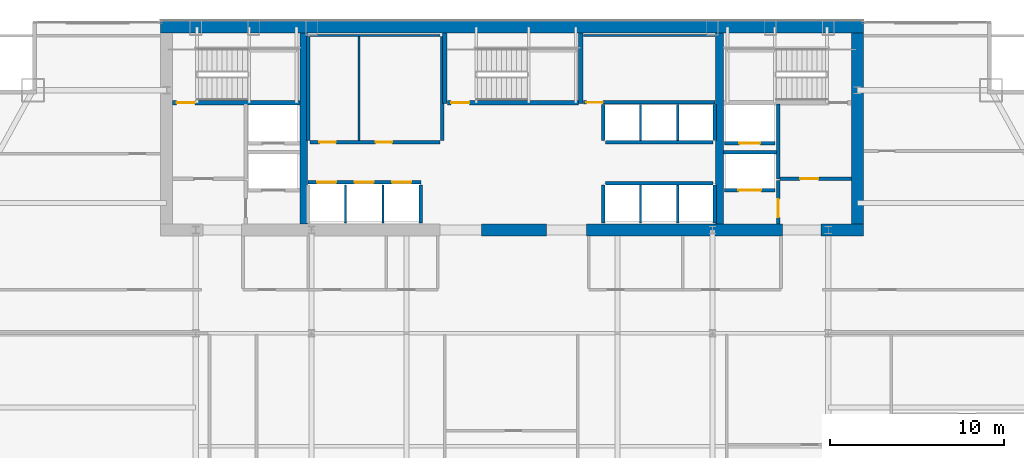
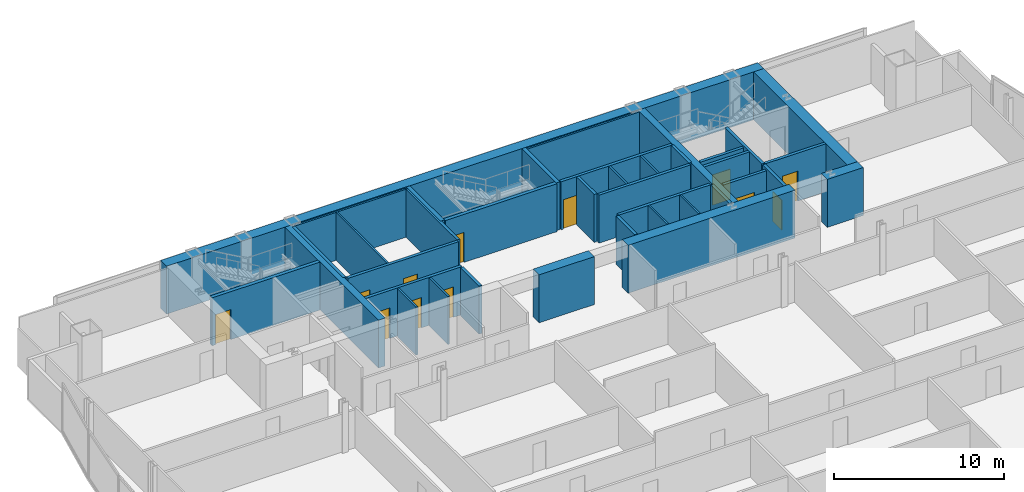
# One storey, part 26 of 29: 38 walls, 12 doors, 12 openings.
"""IFC4 building model written with IfcOpenShell, lengths in metres."""

from ifc_helpers import new_model, si_unit, direction, frame, frame_2d, origin, place, context, subcontext, project, spatial, rectangle, extrude, material, layer, layer_set, type_object, element, fill, save


model = new_model("IFC4")

# Units and contexts
model_context = context("Model", 3, precision=1e-05, world=origin(), true_north=direction((0.0, 1.0)))
body_context = subcontext(model_context, "Body", "Model", "MODEL_VIEW")
ifc_project = project(units=[si_unit("LENGTHUNIT", "METRE"), si_unit("AREAUNIT", "SQUARE_METRE"), si_unit("VOLUMEUNIT", "CUBIC_METRE"), si_unit("PLANEANGLEUNIT", "RADIAN"), si_unit("MASSUNIT", "GRAM", prefix="KILO")], contexts=[model_context])

# Site, building, storey
site_placement = place(None, origin())
site = spatial("IfcSite", under=ifc_project, at=site_placement, CompositionType="ELEMENT")
building_placement = place(site_placement, origin())
building = spatial("IfcBuilding", under=site, at=building_placement, Name="Khoronbel Lancet Exchange", CompositionType="ELEMENT")
storey_placement = place(building_placement, frame((0.0, 0.0, 161.39990234375)))
storey = spatial("IfcBuildingStorey", under=building, at=storey_placement, Name="L40", CompositionType="ELEMENT", Elevation=161.39990234375)

# Walls
ifc_material_1 = material(Name="Concrete C80/95", Category="concrete")
ifc_layer_1 = layer(ifc_material_1, 0.699951171875, Name="Concrete C80/95")
ifc_layer_set_1 = layer_set([ifc_layer_1], Name="Concrete C80/95")
wall_type_1 = type_object("IfcWallType", Name="WL-CW2", PredefinedType="SHEAR", material=ifc_layer_set_1)
wall_1_placement = place(storey_placement, frame((16.199951171875, 53.35009765625, 0.0), z_axis=(0.0, 0.0, 1.0), x_axis=(1.0, 0.0, 0.0)))
element("IfcWall", 1, at=wall_1_placement, inside=storey, type_object=wall_type_1, Name="Level L40 rear core north shear wall", PredefinedType="SHEAR", context=body_context, shape_type="SweptSolid", body=[
    extrude(rectangle(XDim=40.5, YDim=0.699951171875, at=frame_2d((20.25, 0.0))), origin(), (0.0, 0.0, 1.0), 3.440185546875),
])
wall_2_placement = place(storey_placement, frame((56.35009765625, 53.0, 0.0), z_axis=(0.0, 0.0, 1.0), x_axis=(0.0, -1.0, 0.0)))
element("IfcWall", 2, at=wall_2_placement, inside=storey, type_object=wall_type_1, Name="Level L40 rear core east shear wall", PredefinedType="SHEAR", context=body_context, shape_type="SweptSolid", body=[
    extrude(rectangle(XDim=11.0, YDim=0.699951171875, at=frame_2d((5.5, 0.0))), origin(), (0.0, 0.0, 1.0), 3.440185546875),
])
wall_3_placement = place(storey_placement, frame((38.449951171875, 41.64990234375, 0.0), z_axis=(0.0, 0.0, 1.0), x_axis=(-1.0, 0.0, 0.0)))
element("IfcWall", 3, at=wall_3_placement, inside=storey, type_object=wall_type_1, Name="Level L40 rear core south shear wall pier P3", PredefinedType="SHEAR", context=body_context, shape_type="SweptSolid", body=[
    extrude(rectangle(XDim=3.75, YDim=0.699951171875, at=frame_2d((1.875, 0.0))), origin(), (0.0, 0.0, 1.0), 3.440185546875),
])
wall_4_placement = place(storey_placement, frame((52.050048828125, 41.64990234375, 0.0), z_axis=(0.0, 0.0, 1.0), x_axis=(-1.0, 0.0, 0.0)))
element("IfcWall", 4, at=wall_4_placement, inside=storey, type_object=wall_type_1, Name="Level L40 rear core south shear wall pier P4", PredefinedType="SHEAR", context=body_context, shape_type="SweptSolid", body=[
    extrude(rectangle(XDim=11.300048828125, YDim=0.699951171875, at=frame_2d((5.64990234375, 0.0))), origin(), (0.0, 0.0, 1.0), 3.440185546875),
])
wall_5_placement = place(storey_placement, frame((56.699951171875, 41.64990234375, 0.0), z_axis=(0.0, 0.0, 1.0), x_axis=(-1.0, 0.0, 0.0)))
element("IfcWall", 5, at=wall_5_placement, inside=storey, type_object=wall_type_1, Name="Level L40 rear core south shear wall pier P5", PredefinedType="SHEAR", context=body_context, shape_type="SweptSolid", body=[
    extrude(rectangle(XDim=2.449951171875, YDim=0.699951171875, at=frame_2d((1.22509765625, 0.0))), origin(), (0.0, 0.0, 1.0), 3.440185546875),
])
ifc_material_2 = material(Name="Fire-Rated Metal-Stud & Mineral-Wool Gypsum Partition 120 mm", Category="gypsum")
ifc_layer_2 = layer(ifc_material_2, 0.1201171875, Name="Fire-Rated Metal-Stud & Mineral-Wool Gypsum Partition 120 mm")
ifc_layer_set_2 = layer_set([ifc_layer_2], Name="Fire-Rated Metal-Stud & Mineral-Wool Gypsum Partition 120 mm")
wall_type_2 = type_object("IfcWallType", Name="WL-PRT120F", PredefinedType="PARTITIONING", material=ifc_layer_set_2)
wall_6_placement = place(storey_placement, frame((24.804931640625, 52.860107421875, 0.0), z_axis=(0.0, 0.0, 1.0), x_axis=(1.0, 0.0, 0.0)))
element("IfcWall", 6, at=wall_6_placement, inside=storey, type_object=wall_type_2, Name="Level L40 interior partition CW-PL-RN", PredefinedType="PARTITIONING", context=body_context, shape_type="SweptSolid", body=[
    extrude(rectangle(XDim=7.510009765625, YDim=0.1201171875, at=frame_2d((3.7548828125, 0.0))), origin(), (0.0, 0.0, 1.0), 3.440185546875),
])
wall_7_placement = place(storey_placement, frame((27.633544921875, 46.804931640625, 0.0), z_axis=(0.0, 0.0, 1.0), x_axis=(0.0, 1.0, 0.0)))
element("IfcWall", 7, at=wall_7_placement, inside=storey, type_object=wall_type_2, Name="Level L40 interior partition CW-PL-RS1", PredefinedType="PARTITIONING", context=body_context, shape_type="SweptSolid", body=[
    extrude(rectangle(XDim=5.989990234375, YDim=0.1201171875, at=frame_2d((2.9951171875, 0.0))), origin(), (0.0, 0.0, 1.0), 3.440185546875),
])
for number, where, z_axis, x_axis, name in (
    (8, (26.860107421875, 42.050048828125, 0.0), (0.0, 0.0, 1.0), (0.0, 1.0, 0.0), "Level L40 interior partition CW-PM-D1"),
    (9, (29.02001953125, 42.050048828125, 0.0), (0.0, 0.0, 1.0), (0.0, 1.0, 0.0), "Level L40 interior partition CW-PM-D2"),
):
    element("IfcWall", number, at=place(storey_placement, frame(where, z_axis=z_axis, x_axis=x_axis)), inside=storey, type_object=wall_type_2, Name=name, PredefinedType="PARTITIONING", context=body_context, shape_type="SweptSolid", body=[
        extrude(rectangle(XDim=2.199951171875, YDim=0.1201171875, at=frame_2d((1.10009765625, 0.0))), origin(), (0.0, 0.0, 1.0), 3.440185546875),
    ])
for number, where, z_axis, x_axis, name in (
    (10, (43.860107421875, 46.804931640625, 0.0), (0.0, 0.0, 1.0), (0.0, 1.0, 0.0), "Level L40 interior partition CW-PH-D1"),
    (11, (46.0, 46.804931640625, 0.0), (0.0, 0.0, 1.0), (0.0, 1.0, 0.0), "Level L40 interior partition CW-PH-D2"),
):
    element("IfcWall", number, at=place(storey_placement, frame(where, z_axis=z_axis, x_axis=x_axis)), inside=storey, type_object=wall_type_2, Name=name, PredefinedType="PARTITIONING", context=body_context, shape_type="SweptSolid", body=[
        extrude(rectangle(XDim=2.090087890625, YDim=0.1201171875, at=frame_2d((1.044921875, 0.0))), origin(), (0.0, 0.0, 1.0), 3.440185546875),
    ])
for number, where, z_axis, x_axis, name in (
    (12, (43.860107421875, 42.050048828125, 0.0), (0.0, 0.0, 1.0), (0.0, 1.0, 0.0), "Level L40 interior partition CW-PX-D1"),
    (13, (46.0, 42.050048828125, 0.0), (0.0, 0.0, 1.0), (0.0, 1.0, 0.0), "Level L40 interior partition CW-PX-D2"),
):
    element("IfcWall", number, at=place(storey_placement, frame(where, z_axis=z_axis, x_axis=x_axis)), inside=storey, type_object=wall_type_2, Name=name, PredefinedType="PARTITIONING", context=body_context, shape_type="SweptSolid", body=[
        extrude(rectangle(XDim=2.195068359375, YDim=0.1201171875, at=frame_2d((1.09765625, 0.0))), origin(), (0.0, 0.0, 1.0), 3.440185546875),
    ])
wall_8_placement = place(storey_placement, frame((40.580078125, 52.860107421875, 0.0), z_axis=(0.0, 0.0, 1.0), x_axis=(1.0, 0.0, 0.0)))
element("IfcWall", 14, at=wall_8_placement, inside=storey, type_object=wall_type_2, Name="Level L40 interior partition CW-SUP-NE-N", PredefinedType="PARTITIONING", context=body_context, shape_type="SweptSolid", body=[
    extrude(rectangle(XDim=7.559814453125, YDim=0.1201171875, at=frame_2d((3.77978515625, 0.0))), origin(), (0.0, 0.0, 1.0), 3.440185546875),
])

# Wall, openings, doors
ifc_material_3 = material(Name="Autoclaved Aerated Concrete Blockwork 200 mm", Category="masonry")
ifc_layer_3 = layer(ifc_material_3, 0.199951171875, Name="Autoclaved Aerated Concrete Blockwork 200 mm")
ifc_layer_set_3 = layer_set([ifc_layer_3], Name="Autoclaved Aerated Concrete Blockwork 200 mm")
wall_type_3 = type_object("IfcWallType", Name="WL-PRT200", PredefinedType="PARTITIONING", material=ifc_layer_set_3)
wall_9_placement = place(storey_placement, frame((24.68994140625, 44.39990234375, 0.0), z_axis=(0.0, 0.0, 1.0), x_axis=(1.0, 0.0, 0.0)))
wall_9 = element("IfcWall", 15, at=wall_9_placement, inside=storey, type_object=wall_type_3, Name="Level L40 elevator hoistway landing front wall PMW", PredefinedType="PARTITIONING", context=body_context, shape_type="SweptSolid", body=[
    extrude(rectangle(XDim=6.530029296875, YDim=0.199951171875, at=frame_2d((3.26513671875, 0.0))), origin(), (0.0, 0.0, 1.0), 3.440185546875),
])
opening_1_placement = place(wall_9_placement, frame((0.530029296875, 0.0, 0.0)))
opening_1 = element("IfcOpeningElement", 16, at=opening_1_placement, cuts=wall_9, Name="Opening LD-PM1", PredefinedType="OPENING", context=body_context, shape_type="SweptSolid", body=[
    extrude(rectangle(XDim=1.10009765625, YDim=2.179931640625, at=frame_2d((0.550048828125, 1.08984375))), frame((0.0, 0.10986328125, 0.0), z_axis=(0.0, -1.0, 0.0), x_axis=(1.0, 0.0, 0.0)), (0.0, 0.0, 1.0), 0.219970703125),
])
opening_2_placement = place(wall_9_placement, frame((2.68994140625, 0.0, 0.0)))
opening_2 = element("IfcOpeningElement", 17, at=opening_2_placement, cuts=wall_9, Name="Opening LD-PM2", PredefinedType="OPENING", context=body_context, shape_type="SweptSolid", body=[
    extrude(rectangle(XDim=1.10009765625, YDim=2.179931640625, at=frame_2d((0.550048828125, 1.08984375))), frame((0.0, 0.10986328125, 0.0), z_axis=(0.0, -1.0, 0.0), x_axis=(1.0, 0.0, 0.0)), (0.0, 0.0, 1.0), 0.219970703125),
])
opening_3_placement = place(wall_9_placement, frame((4.85009765625, 0.0, 0.0)))
opening_3 = element("IfcOpeningElement", 18, at=opening_3_placement, cuts=wall_9, Name="Opening LD-PM3", PredefinedType="OPENING", context=body_context, shape_type="SweptSolid", body=[
    extrude(rectangle(XDim=1.10009765625, YDim=2.179931640625, at=frame_2d((0.550048828125, 1.08984375))), frame((0.0, 0.10986328125, 0.0), z_axis=(0.0, -1.0, 0.0), x_axis=(1.0, 0.0, 0.0)), (0.0, 0.0, 1.0), 0.219970703125),
])
ifc_material_4 = material(Name="Brushed Bronze Bi-Parting Elevator Landing Door", Category="steel")
door_type_1 = type_object("IfcDoorType", Name="DR-LD-PAX", OperationType="NOTDEFINED", PredefinedType="DOOR", material=ifc_material_4)
door_1_placement = place(opening_1_placement, origin())
door_1 = element("IfcDoor", 19, at=door_1_placement, inside=storey, type_object=door_type_1, Name="Elevator landing sliding door LD-PM1 L40", OperationType="SLIDING_TO_LEFT", OverallHeight=2.179931640625, OverallWidth=1.10009765625, PredefinedType="DOOR", context=body_context, shape_type="SweptSolid", body=[
    extrude(rectangle(XDim=1.10009765625, YDim=2.179931640625, at=frame_2d((0.550048828125, 1.08984375))), frame((0.0, 0.02490234375, 0.0), z_axis=(0.0, -1.0, 0.0), x_axis=(1.0, 0.0, 0.0)), (0.0, 0.0, 1.0), 0.050048828125),
])
fill(opening_1, door_1)
door_2_placement = place(opening_2_placement, origin())
door_2 = element("IfcDoor", 20, at=door_2_placement, inside=storey, type_object=door_type_1, Name="Elevator landing sliding door LD-PM2 L40", OperationType="SLIDING_TO_LEFT", OverallHeight=2.179931640625, OverallWidth=1.10009765625, PredefinedType="DOOR", context=body_context, shape_type="SweptSolid", body=[
    extrude(rectangle(XDim=1.10009765625, YDim=2.179931640625, at=frame_2d((0.550048828125, 1.08984375))), frame((0.0, 0.02490234375, 0.0), z_axis=(0.0, -1.0, 0.0), x_axis=(1.0, 0.0, 0.0)), (0.0, 0.0, 1.0), 0.050048828125),
])
fill(opening_2, door_2)
door_3_placement = place(opening_3_placement, origin())
door_3 = element("IfcDoor", 21, at=door_3_placement, inside=storey, type_object=door_type_1, Name="Elevator landing sliding door LD-PM3 L40", OperationType="SLIDING_TO_LEFT", OverallHeight=2.179931640625, OverallWidth=1.10009765625, PredefinedType="DOOR", context=body_context, shape_type="SweptSolid", body=[
    extrude(rectangle(XDim=1.10009765625, YDim=2.179931640625, at=frame_2d((0.550048828125, 1.08984375))), frame((0.0, 0.02490234375, 0.0), z_axis=(0.0, -1.0, 0.0), x_axis=(1.0, 0.0, 0.0)), (0.0, 0.0, 1.0), 0.050048828125),
])
fill(opening_3, door_3)

# Wall, opening, door
wall_10_placement = place(storey_placement, frame((51.610107421875, 43.949951171875, 0.0), z_axis=(0.0, 0.0, 1.0), x_axis=(-1.0, 0.0, 0.0)))
wall_10 = element("IfcWall", 22, at=wall_10_placement, inside=storey, type_object=wall_type_3, Name="Level L40 elevator hoistway landing front wall SVLE", PredefinedType="PARTITIONING", context=body_context, shape_type="SweptSolid", body=[
    extrude(rectangle(XDim=2.920166015625, YDim=0.199951171875, at=frame_2d((1.4599609375, 0.0))), origin(), (0.0, 0.0, 1.0), 3.440185546875),
])
opening_4_placement = place(wall_10_placement, frame((0.81005859375, 0.0, 0.0)))
opening_4 = element("IfcOpeningElement", 23, at=opening_4_placement, cuts=wall_10, Name="Opening LD-SVL2", PredefinedType="OPENING", context=body_context, shape_type="SweptSolid", body=[
    extrude(rectangle(XDim=1.300048828125, YDim=2.179931640625, at=frame_2d((0.64990234375, 1.08984375))), frame((0.0, 0.10986328125, 0.0), z_axis=(0.0, -1.0, 0.0), x_axis=(1.0, 0.0, 0.0)), (0.0, 0.0, 1.0), 0.219970703125),
])
ifc_material_5 = material(Name="Heavy-Duty Bi-Parting Goods Lift Landing Door", Category="steel")
door_type_2 = type_object("IfcDoorType", Name="DR-LD-SVL", OperationType="NOTDEFINED", PredefinedType="DOOR", material=ifc_material_5)
door_4_placement = place(opening_4_placement, origin())
door_4 = element("IfcDoor", 24, at=door_4_placement, inside=storey, type_object=door_type_2, Name="Elevator landing sliding door LD-SVL2 L40", OperationType="SLIDING_TO_LEFT", OverallHeight=2.179931640625, OverallWidth=1.300048828125, PredefinedType="DOOR", context=body_context, shape_type="SweptSolid", body=[
    extrude(rectangle(XDim=1.300048828125, YDim=2.179931640625, at=frame_2d((0.64990234375, 1.08984375))), frame((0.0, 0.02490234375, 0.0), z_axis=(0.0, -1.0, 0.0), x_axis=(1.0, 0.0, 0.0)), (0.0, 0.0, 1.0), 0.050048828125),
])
fill(opening_4, door_4)

wall_11_placement = place(storey_placement, frame((51.610107421875, 46.64990234375, 0.0), z_axis=(0.0, 0.0, 1.0), x_axis=(-1.0, 0.0, 0.0)))
wall_11 = element("IfcWall", 25, at=wall_11_placement, inside=storey, type_object=wall_type_3, Name="Level L40 elevator hoistway landing front wall FFLE", PredefinedType="PARTITIONING", context=body_context, shape_type="SweptSolid", body=[
    extrude(rectangle(XDim=2.920166015625, YDim=0.199951171875, at=frame_2d((1.4599609375, 0.0))), origin(), (0.0, 0.0, 1.0), 3.440185546875),
])
opening_5_placement = place(wall_11_placement, frame((0.860107421875, 0.0, 0.0)))
opening_5 = element("IfcOpeningElement", 26, at=opening_5_placement, cuts=wall_11, Name="Opening LD-FFL2", PredefinedType="OPENING", context=body_context, shape_type="SweptSolid", body=[
    extrude(rectangle(XDim=1.199951171875, YDim=2.179931640625, at=frame_2d((0.60009765625, 1.08984375))), frame((0.0, 0.10986328125, 0.0), z_axis=(0.0, -1.0, 0.0), x_axis=(1.0, 0.0, 0.0)), (0.0, 0.0, 1.0), 0.219970703125),
])
ifc_material_6 = material(Name="Fire-Rated Stainless Bi-Parting Firefighting Lift Door", Category="steel")
door_type_3 = type_object("IfcDoorType", Name="DR-LD-FFL", OperationType="NOTDEFINED", PredefinedType="DOOR", material=ifc_material_6)
door_5_placement = place(opening_5_placement, origin())
door_5 = element("IfcDoor", 27, at=door_5_placement, inside=storey, type_object=door_type_3, Name="Elevator landing sliding door LD-FFL2 L40", OperationType="SLIDING_TO_LEFT", OverallHeight=2.179931640625, OverallWidth=1.199951171875, PredefinedType="DOOR", context=body_context, shape_type="SweptSolid", body=[
    extrude(rectangle(XDim=1.199951171875, YDim=2.179931640625, at=frame_2d((0.60009765625, 1.08984375))), frame((0.0, 0.02490234375, 0.0), z_axis=(0.0, -1.0, 0.0), x_axis=(1.0, 0.0, 0.0)), (0.0, 0.0, 1.0), 0.050048828125),
])
fill(opening_5, door_5)

# Wall
wall_12_placement = place(storey_placement, frame((51.800048828125, 44.60009765625, 0.0), z_axis=(0.0, 0.0, 1.0), x_axis=(0.0, 1.0, 0.0)))
element("IfcWall", 28, at=wall_12_placement, inside=storey, type_object=wall_type_3, Name="Level L40 interior partition CW-FFLE-W", PredefinedType="PARTITIONING", context=body_context, shape_type="SweptSolid", body=[
    extrude(rectangle(XDim=4.2998046875, YDim=0.199951171875, at=frame_2d((2.14990234375, 0.0))), origin(), (0.0, 0.0, 1.0), 3.440185546875),
])

# Wall, opening, door
wall_13_placement = place(storey_placement, frame((51.89990234375, 44.60009765625, 0.0), z_axis=(0.0, 0.0, 1.0), x_axis=(1.0, 0.0, 0.0)))
wall_13 = element("IfcWall", 29, at=wall_13_placement, inside=storey, type_object=wall_type_3, Name="Level L40 interior partition CW-FFLE-S", PredefinedType="PARTITIONING", context=body_context, shape_type="SweptSolid", body=[
    extrude(rectangle(XDim=4.10009765625, YDim=0.199951171875, at=frame_2d((2.050048828125, 0.0))), origin(), (0.0, 0.0, 1.0), 3.440185546875),
])
opening_6_placement = place(wall_13_placement, frame((1.14990234375, 0.0, 0.0)))
opening_6 = element("IfcOpeningElement", 30, at=opening_6_placement, cuts=wall_13, Name="Opening FD1", PredefinedType="OPENING", context=body_context, shape_type="SweptSolid", body=[
    extrude(rectangle(XDim=1.050048828125, YDim=2.14990234375, at=frame_2d((0.52490234375, 1.074951171875))), frame((0.0, 0.10986328125, 0.0), z_axis=(0.0, -1.0, 0.0), x_axis=(1.0, 0.0, 0.0)), (0.0, 0.0, 1.0), 0.219970703125),
])
ifc_material_7 = material(Name="Fire-Rated Painted Steel Door Assembly", Category="steel")
door_type_4 = type_object("IfcDoorType", Name="DR-FD1", OperationType="NOTDEFINED", PredefinedType="DOOR", material=ifc_material_7)
door_6_placement = place(opening_6_placement, origin())
door_6 = element("IfcDoor", 31, at=door_6_placement, inside=storey, type_object=door_type_4, Name="East firefighting lobby FD90S door L40-1", OperationType="SINGLE_SWING_LEFT", OverallHeight=2.14990234375, OverallWidth=1.050048828125, PredefinedType="DOOR", context=body_context, shape_type="SweptSolid", body=[
    extrude(rectangle(XDim=1.050048828125, YDim=2.14990234375, at=frame_2d((0.52490234375, 1.074951171875))), frame((0.0, 0.02490234375, 0.0), z_axis=(0.0, -1.0, 0.0), x_axis=(1.0, 0.0, 0.0)), (0.0, 0.0, 1.0), 0.050048828125),
])
fill(opening_6, door_6)

# Wall
wall_14_placement = place(storey_placement, frame((48.6298828125, 46.1201171875, 0.0), z_axis=(0.0, 0.0, 1.0), x_axis=(1.0, 0.0, 0.0)))
element("IfcWall", 32, at=wall_14_placement, inside=storey, type_object=wall_type_3, Name="Level L40 interior partition CW-FFL2-S", PredefinedType="PARTITIONING", context=body_context, shape_type="SweptSolid", body=[
    extrude(rectangle(XDim=3.070068359375, YDim=0.199951171875, at=frame_2d((1.53515625, 0.0))), origin(), (0.0, 0.0, 1.0), 3.440185546875),
])

# Wall, opening, door
wall_15_placement = place(storey_placement, frame((51.800048828125, 42.0, 0.0), z_axis=(0.0, 0.0, 1.0), x_axis=(0.0, 1.0, 0.0)))
wall_15 = element("IfcWall", 33, at=wall_15_placement, inside=storey, type_object=wall_type_3, Name="Level L40 interior partition CW-SVLE-E", PredefinedType="PARTITIONING", context=body_context, shape_type="SweptSolid", body=[
    extrude(rectangle(XDim=2.4951171875, YDim=0.199951171875, at=frame_2d((1.24755859375, 0.0))), origin(), (0.0, 0.0, 1.0), 3.440185546875),
])
opening_7_placement = place(wall_15_placement, frame((0.3798828125, 0.0, 0.0)))
opening_7 = element("IfcOpeningElement", 34, at=opening_7_placement, cuts=wall_15, Name="Opening FD1", PredefinedType="OPENING", context=body_context, shape_type="SweptSolid", body=[
    extrude(rectangle(XDim=1.050048828125, YDim=2.14990234375, at=frame_2d((0.52490234375, 1.074951171875))), frame((0.0, 0.10986328125, 0.0), z_axis=(0.0, -1.0, 0.0), x_axis=(1.0, 0.0, 0.0)), (0.0, 0.0, 1.0), 0.219970703125),
])
door_7_placement = place(opening_7_placement, origin())
door_7 = element("IfcDoor", 35, at=door_7_placement, inside=storey, type_object=door_type_4, Name="East service lift lobby door L40-1", OperationType="SINGLE_SWING_RIGHT", OverallHeight=2.14990234375, OverallWidth=1.050048828125, PredefinedType="DOOR", context=body_context, shape_type="SweptSolid", body=[
    extrude(rectangle(XDim=1.050048828125, YDim=2.14990234375, at=frame_2d((0.52490234375, 1.074951171875))), frame((0.0, 0.02490234375, 0.0), z_axis=(0.0, -1.0, 0.0), x_axis=(1.0, 0.0, 0.0)), (0.0, 0.0, 1.0), 0.050048828125),
])
fill(opening_7, door_7)

# Walls
for number, where, z_axis, x_axis, name in (
    (36, (24.699951171875, 46.804931640625, 0.0), (0.0, 0.0, 1.0), (0.0, 1.0, 0.0), "Level L40 interior partition CW-PL-RW"),
    (37, (32.419921875, 46.804931640625, 0.0), (0.0, 0.0, 1.0), (0.0, 1.0, 0.0), "Level L40 interior partition CW-PL-RE"),
):
    element("IfcWall", number, at=place(storey_placement, frame(where, z_axis=z_axis, x_axis=x_axis)), inside=storey, type_object=wall_type_3, Name=name, PredefinedType="PARTITIONING", context=body_context, shape_type="SweptSolid", body=[
        extrude(rectangle(XDim=5.989990234375, YDim=0.199951171875, at=frame_2d((2.9951171875, 0.0))), origin(), (0.0, 0.0, 1.0), 3.440185546875),
    ])

# Wall, openings, doors
wall_16_placement = place(storey_placement, frame((24.804931640625, 46.699951171875, 0.0), z_axis=(0.0, 0.0, 1.0), x_axis=(1.0, 0.0, 0.0)))
wall_16 = element("IfcWall", 38, at=wall_16_placement, inside=storey, type_object=wall_type_3, Name="Level L40 interior partition CW-PL-RF", PredefinedType="PARTITIONING", context=body_context, shape_type="SweptSolid", body=[
    extrude(rectangle(XDim=7.510009765625, YDim=0.199951171875, at=frame_2d((3.7548828125, 0.0))), origin(), (0.0, 0.0, 1.0), 3.440185546875),
])
opening_8_placement = place(wall_16_placement, frame((0.550048828125, 0.0, 0.0)))
opening_8 = element("IfcOpeningElement", 39, at=opening_8_placement, cuts=wall_16, Name="Opening FD3", PredefinedType="OPENING", context=body_context, shape_type="SweptSolid", body=[
    extrude(rectangle(XDim=0.949951171875, YDim=2.10009765625, at=frame_2d((0.47509765625, 1.050048828125))), frame((0.0, 0.10986328125, 0.0), z_axis=(0.0, -1.0, 0.0), x_axis=(1.0, 0.0, 0.0)), (0.0, 0.0, 1.0), 0.219970703125),
])
opening_9_placement = place(wall_16_placement, frame((3.78369140625, 0.0, 0.0)))
opening_9 = element("IfcOpeningElement", 40, at=opening_9_placement, cuts=wall_16, Name="Opening FD3", PredefinedType="OPENING", context=body_context, shape_type="SweptSolid", body=[
    extrude(rectangle(XDim=0.949951171875, YDim=2.10009765625, at=frame_2d((0.47509765625, 1.050048828125))), frame((0.0, 0.10986328125, 0.0), z_axis=(0.0, -1.0, 0.0), x_axis=(1.0, 0.0, 0.0)), (0.0, 0.0, 1.0), 0.219970703125),
])
ifc_material_8 = material(Name="Fire-Rated Steel Plant & Riser Door Assembly", Category="steel")
door_type_5 = type_object("IfcDoorType", Name="DR-FD3", OperationType="NOTDEFINED", PredefinedType="DOOR", material=ifc_material_8)
door_8_placement = place(opening_8_placement, origin())
door_8 = element("IfcDoor", 41, at=door_8_placement, inside=storey, type_object=door_type_5, Name="Reclaimed PL A door L40-1", OperationType="SINGLE_SWING_LEFT", OverallHeight=2.10009765625, OverallWidth=0.949951171875, PredefinedType="DOOR", context=body_context, shape_type="SweptSolid", body=[
    extrude(rectangle(XDim=0.949951171875, YDim=2.10009765625, at=frame_2d((0.47509765625, 1.050048828125))), frame((0.0, 0.02490234375, 0.0), z_axis=(0.0, -1.0, 0.0), x_axis=(1.0, 0.0, 0.0)), (0.0, 0.0, 1.0), 0.050048828125),
])
fill(opening_8, door_8)
door_9_placement = place(opening_9_placement, origin())
door_9 = element("IfcDoor", 42, at=door_9_placement, inside=storey, type_object=door_type_5, Name="Reclaimed PL B door L40-2", OperationType="SINGLE_SWING_RIGHT", OverallHeight=2.10009765625, OverallWidth=0.949951171875, PredefinedType="DOOR", context=body_context, shape_type="SweptSolid", body=[
    extrude(rectangle(XDim=0.949951171875, YDim=2.10009765625, at=frame_2d((0.47509765625, 1.050048828125))), frame((0.0, 0.02490234375, 0.0), z_axis=(0.0, -1.0, 0.0), x_axis=(1.0, 0.0, 0.0)), (0.0, 0.0, 1.0), 0.050048828125),
])
fill(opening_9, door_9)

# Walls
wall_17_placement = place(storey_placement, frame((31.179931640625, 42.050048828125, 0.0), z_axis=(0.0, 0.0, 1.0), x_axis=(0.0, 1.0, 0.0)))
element("IfcWall", 43, at=wall_17_placement, inside=storey, type_object=wall_type_3, Name="Level L40 interior partition CW-PM-E", PredefinedType="PARTITIONING", context=body_context, shape_type="SweptSolid", body=[
    extrude(rectangle(XDim=2.199951171875, YDim=0.199951171875, at=frame_2d((1.10009765625, 0.0))), origin(), (0.0, 0.0, 1.0), 3.440185546875),
])
wall_18_placement = place(storey_placement, frame((41.824951171875, 46.699951171875, 0.0), z_axis=(0.0, 0.0, 1.0), x_axis=(1.0, 0.0, 0.0)))
element("IfcWall", 44, at=wall_18_placement, inside=storey, type_object=wall_type_3, Name="Level L40 interior partition CW-PH-EXP", PredefinedType="PARTITIONING", context=body_context, shape_type="SweptSolid", body=[
    extrude(rectangle(XDim=6.2099609375, YDim=0.199951171875, at=frame_2d((3.10498046875, 0.0))), origin(), (0.0, 0.0, 1.0), 3.440185546875),
])
for number, where, z_axis, x_axis, name in (
    (45, (41.719970703125, 46.804931640625, 0.0), (0.0, 0.0, 1.0), (0.0, 1.0, 0.0), "Level L40 interior partition CW-PH-W"),
    (46, (48.139892578125, 46.804931640625, 0.0), (0.0, 0.0, 1.0), (0.0, 1.0, 0.0), "Level L40 interior partition CW-PH-E"),
):
    element("IfcWall", number, at=place(storey_placement, frame(where, z_axis=z_axis, x_axis=x_axis)), inside=storey, type_object=wall_type_3, Name=name, PredefinedType="PARTITIONING", context=body_context, shape_type="SweptSolid", body=[
        extrude(rectangle(XDim=2.090087890625, YDim=0.199951171875, at=frame_2d((1.044921875, 0.0))), origin(), (0.0, 0.0, 1.0), 3.440185546875),
    ])
wall_19_placement = place(storey_placement, frame((41.824951171875, 44.35009765625, 0.0), z_axis=(0.0, 0.0, 1.0), x_axis=(1.0, 0.0, 0.0)))
element("IfcWall", 47, at=wall_19_placement, inside=storey, type_object=wall_type_3, Name="Level L40 interior partition CW-PX-EXP", PredefinedType="PARTITIONING", context=body_context, shape_type="SweptSolid", body=[
    extrude(rectangle(XDim=6.2099609375, YDim=0.199951171875, at=frame_2d((3.10498046875, 0.0))), origin(), (0.0, 0.0, 1.0), 3.440185546875),
])
for number, where, z_axis, x_axis, name in (
    (48, (41.719970703125, 42.050048828125, 0.0), (0.0, 0.0, 1.0), (0.0, 1.0, 0.0), "Level L40 interior partition CW-PX-W"),
    (49, (48.139892578125, 42.050048828125, 0.0), (0.0, 0.0, 1.0), (0.0, 1.0, 0.0), "Level L40 interior partition CW-PX-E"),
):
    element("IfcWall", number, at=place(storey_placement, frame(where, z_axis=z_axis, x_axis=x_axis)), inside=storey, type_object=wall_type_3, Name=name, PredefinedType="PARTITIONING", context=body_context, shape_type="SweptSolid", body=[
        extrude(rectangle(XDim=2.195068359375, YDim=0.199951171875, at=frame_2d((1.09765625, 0.0))), origin(), (0.0, 0.0, 1.0), 3.440185546875),
    ])

# Wall, opening, door
wall_20_placement = place(storey_placement, frame((40.580078125, 49.0, 0.0), z_axis=(0.0, 0.0, 1.0), x_axis=(1.0, 0.0, 0.0)))
wall_20 = element("IfcWall", 50, at=wall_20_placement, inside=storey, type_object=wall_type_3, Name="Level L40 interior partition CW-SUP-NE-S", PredefinedType="PARTITIONING", context=body_context, shape_type="SweptSolid", body=[
    extrude(rectangle(XDim=7.559814453125, YDim=0.199951171875, at=frame_2d((3.77978515625, 0.0))), origin(), (0.0, 0.0, 1.0), 3.440185546875),
])
opening_10_placement = place(wall_20_placement, frame((0.159912109375, 0.0, 0.0)))
opening_10 = element("IfcOpeningElement", 51, at=opening_10_placement, cuts=wall_20, Name="Opening FD3", PredefinedType="OPENING", context=body_context, shape_type="SweptSolid", body=[
    extrude(rectangle(XDim=0.949951171875, YDim=2.10009765625, at=frame_2d((0.47509765625, 1.050048828125))), frame((0.0, 0.10986328125, 0.0), z_axis=(0.0, -1.0, 0.0), x_axis=(1.0, 0.0, 0.0)), (0.0, 0.0, 1.0), 0.219970703125),
])
door_10_placement = place(opening_10_placement, origin())
door_10 = element("IfcDoor", 52, at=door_10_placement, inside=storey, type_object=door_type_5, Name="Core NE support room door L40-1", OperationType="SINGLE_SWING_LEFT", OverallHeight=2.10009765625, OverallWidth=0.949951171875, PredefinedType="DOOR", context=body_context, shape_type="SweptSolid", body=[
    extrude(rectangle(XDim=0.949951171875, YDim=2.10009765625, at=frame_2d((0.47509765625, 1.050048828125))), frame((0.0, 0.02490234375, 0.0), z_axis=(0.0, -1.0, 0.0), x_axis=(1.0, 0.0, 0.0)), (0.0, 0.0, 1.0), 0.050048828125),
])
fill(opening_10, door_10)

# Walls
ifc_layer_4 = layer(ifc_material_1, 0.449951171875, Name="Concrete C80/95")
ifc_layer_set_4 = layer_set([ifc_layer_4], Name="Concrete C80/95")
wall_type_4 = type_object("IfcWallType", Name="WL-SW1", PredefinedType="SHEAR", material=ifc_layer_set_4)
for number, where, z_axis, x_axis, name in (
    (53, (24.449951171875, 42.0, 0.0), (0.0, 0.0, 1.0), (0.0, 1.0, 0.0), "Level L40 rear core internal spine shear wall IW"),
    (54, (48.39990234375, 42.0, 0.0), (0.0, 0.0, 1.0), (0.0, 1.0, 0.0), "Level L40 rear core internal spine shear wall IE"),
):
    element("IfcWall", number, at=place(storey_placement, frame(where, z_axis=z_axis, x_axis=x_axis)), inside=storey, type_object=wall_type_4, Name=name, PredefinedType="SHEAR", context=body_context, shape_type="SweptSolid", body=[
        extrude(rectangle(XDim=11.0, YDim=0.449951171875, at=frame_2d((5.5, 0.0))), origin(), (0.0, 0.0, 1.0), 3.440185546875),
    ])
ifc_material_9 = material(Name="Concrete C60/75", Category="concrete")
ifc_layer_5 = layer(ifc_material_9, 0.260009765625, Name="Concrete C60/75")
ifc_layer_set_5 = layer_set([ifc_layer_5], Name="Concrete C60/75")
wall_type_5 = type_object("IfcWallType", Name="WL-SW3", PredefinedType="SHEAR", material=ifc_layer_set_5)
for number, where, z_axis, x_axis, name in (
    (55, (32.580078125, 48.949951171875, 0.0), (0.0, 0.0, 1.0), (0.0, 1.0, 0.0), "Level L40 central stairwell structural shear wall ST3W"),
    (56, (40.419921875, 48.949951171875, 0.0), (0.0, 0.0, 1.0), (0.0, 1.0, 0.0), "Level L40 central stairwell structural shear wall ST3E"),
):
    element("IfcWall", number, at=place(storey_placement, frame(where, z_axis=z_axis, x_axis=x_axis)), inside=storey, type_object=wall_type_5, Name=name, PredefinedType="SHEAR", context=body_context, shape_type="SweptSolid", body=[
        extrude(rectangle(XDim=4.050048828125, YDim=0.260009765625, at=frame_2d((2.02490234375, 0.0))), origin(), (0.0, 0.0, 1.0), 3.440185546875),
    ])

# Wall, opening, door
wall_21_placement = place(storey_placement, frame((16.89990234375, 48.97998046875, 0.0), z_axis=(0.0, 0.0, 1.0), x_axis=(1.0, 0.0, 0.0)))
wall_21 = element("IfcWall", 57, at=wall_21_placement, inside=storey, type_object=wall_type_5, Name="Level L40 west stairwell structural south wall", PredefinedType="SHEAR", context=body_context, shape_type="SweptSolid", body=[
    extrude(rectangle(XDim=7.320068359375, YDim=0.239990234375, at=frame_2d((3.66015625, 0.0))), origin(), (0.0, 0.0, 1.0), 3.440185546875),
])
opening_11_placement = place(wall_21_placement, frame((0.219970703125, 0.0, 0.0)))
opening_11 = element("IfcOpeningElement", 58, at=opening_11_placement, cuts=wall_21, Name="Opening SD1", PredefinedType="OPENING", context=body_context, shape_type="SweptSolid", body=[
    extrude(rectangle(XDim=1.050048828125, YDim=2.14990234375, at=frame_2d((0.52490234375, 1.074951171875))), frame((0.0, 0.1298828125, 0.0), z_axis=(0.0, -1.0, 0.0), x_axis=(1.0, 0.0, 0.0)), (0.0, 0.0, 1.0), 0.260009765625),
])
ifc_material_10 = material(Name="Fire-Rated Steel Stairwell Door Assembly", Category="steel")
door_type_6 = type_object("IfcDoorType", Name="DR-SD1", OperationType="NOTDEFINED", PredefinedType="DOOR", material=ifc_material_10)
door_11_placement = place(opening_11_placement, origin())
door_11 = element("IfcDoor", 59, at=door_11_placement, inside=storey, type_object=door_type_6, Name="Protected exit stair ST1 door L40", OperationType="SINGLE_SWING_LEFT", OverallHeight=2.14990234375, OverallWidth=1.050048828125, PredefinedType="DOOR", context=body_context, shape_type="SweptSolid", body=[
    extrude(rectangle(XDim=1.050048828125, YDim=2.14990234375, at=frame_2d((0.52490234375, 1.074951171875))), frame((0.0, 0.02490234375, 0.0), z_axis=(0.0, -1.0, 0.0), x_axis=(1.0, 0.0, 0.0)), (0.0, 0.0, 1.0), 0.050048828125),
])
fill(opening_11, door_11)

wall_22_placement = place(storey_placement, frame((32.719970703125, 48.97998046875, 0.0), z_axis=(0.0, 0.0, 1.0), x_axis=(1.0, 0.0, 0.0)))
wall_22 = element("IfcWall", 60, at=wall_22_placement, inside=storey, type_object=wall_type_5, Name="Level L40 central stairwell structural south wall", PredefinedType="SHEAR", context=body_context, shape_type="SweptSolid", body=[
    extrude(rectangle(XDim=7.56005859375, YDim=0.239990234375, at=frame_2d((3.780029296875, 0.0))), origin(), (0.0, 0.0, 1.0), 3.440185546875),
])
opening_12_placement = place(wall_22_placement, frame((0.219970703125, 0.0, 0.0)))
opening_12 = element("IfcOpeningElement", 61, at=opening_12_placement, cuts=wall_22, Name="Opening SD1", PredefinedType="OPENING", context=body_context, shape_type="SweptSolid", body=[
    extrude(rectangle(XDim=1.050048828125, YDim=2.14990234375, at=frame_2d((0.52490234375, 1.074951171875))), frame((0.0, 0.1298828125, 0.0), z_axis=(0.0, -1.0, 0.0), x_axis=(1.0, 0.0, 0.0)), (0.0, 0.0, 1.0), 0.260009765625),
])
door_12_placement = place(opening_12_placement, origin())
door_12 = element("IfcDoor", 62, at=door_12_placement, inside=storey, type_object=door_type_6, Name="Protected exit stair ST3 door L40", OperationType="SINGLE_SWING_LEFT", OverallHeight=2.14990234375, OverallWidth=1.050048828125, PredefinedType="DOOR", context=body_context, shape_type="SweptSolid", body=[
    extrude(rectangle(XDim=1.050048828125, YDim=2.14990234375, at=frame_2d((0.52490234375, 1.074951171875))), frame((0.0, 0.02490234375, 0.0), z_axis=(0.0, -1.0, 0.0), x_axis=(1.0, 0.0, 0.0)), (0.0, 0.0, 1.0), 0.050048828125),
])
fill(opening_12, door_12)

save(model, "model.ifc")
